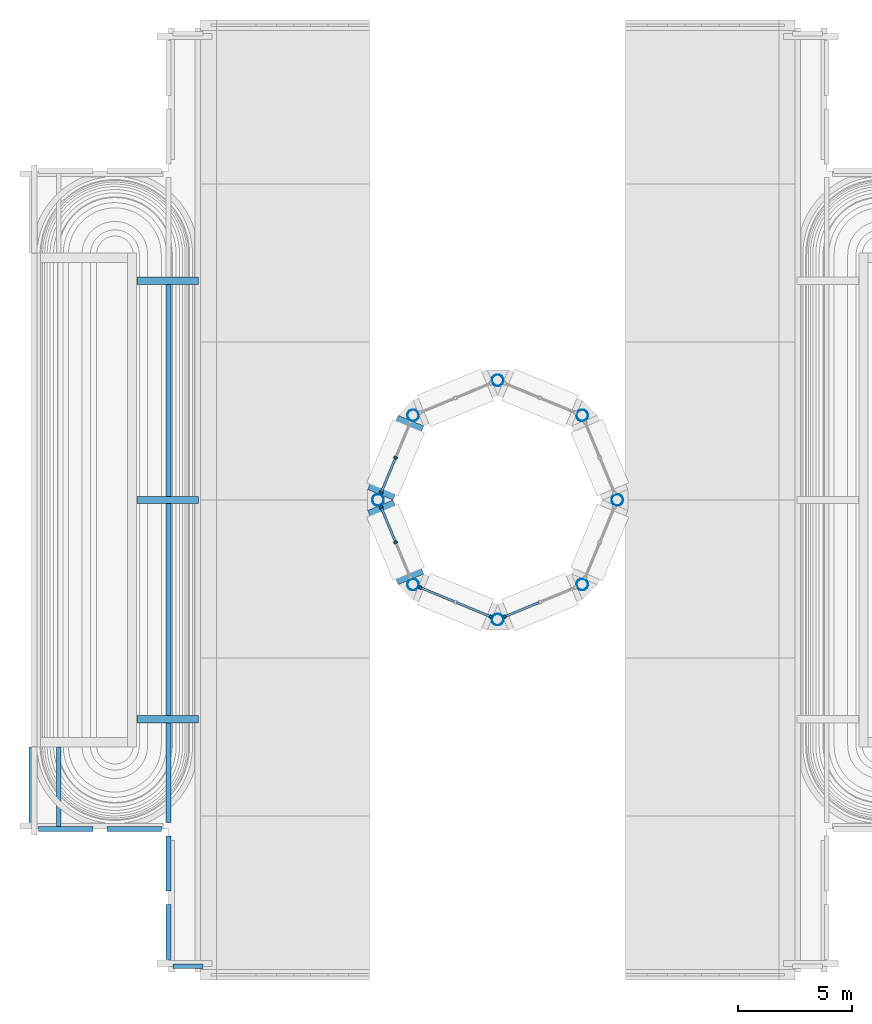
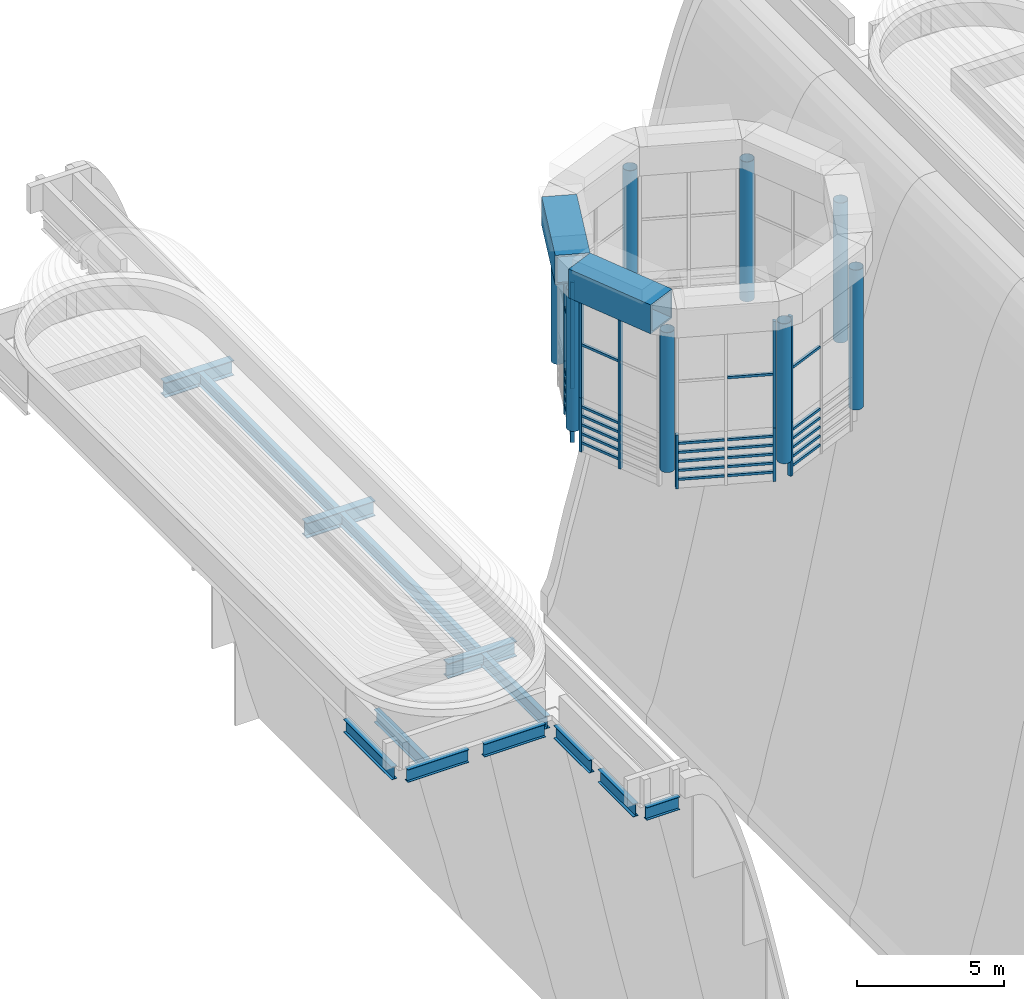
# One storey, part 1 of 14: 42 members, 15 beams, 8 columns, 8 elements without a shape of their own.
"""IFC4 building model written with IfcOpenShell, lengths in metres."""

from ifc_helpers import new_model, si_unit, direction, frame, origin, origin_2d, place, context, subcontext, project, spatial, rectangle, hollow_rectangle, hollow_circle, i_section, extrude, material, material_profile, profile_set, type_object, element, aggregate, save


model = new_model("IFC4")

# Units and contexts
model_context = context("Model", 3, precision=1e-05, world=origin(), true_north=direction((0.0, 1.0)))
body_context = subcontext(model_context, "Body", "Model", "MODEL_VIEW")
ifc_project = project(units=[si_unit("LENGTHUNIT", "METRE"), si_unit("AREAUNIT", "SQUARE_METRE"), si_unit("VOLUMEUNIT", "CUBIC_METRE"), si_unit("PLANEANGLEUNIT", "RADIAN"), si_unit("MASSUNIT", "GRAM", prefix="KILO")], contexts=[model_context])

# Site, building, storey
site_placement = place(None, origin())
site = spatial("IfcSite", under=ifc_project, at=site_placement, CompositionType="ELEMENT")
building_placement = place(site_placement, origin())
building = spatial("IfcBuilding", under=site, at=building_placement, Name="Cobrizo Arcos Hotel Tower", CompositionType="ELEMENT")
storey_placement = place(building_placement, frame((0.0, 0.0, 290.0)))
storey = spatial("IfcBuildingStorey", under=building, at=storey_placement, Name="RF", CompositionType="ELEMENT", Elevation=290.0)

# Columns
ifc_material_1 = material(Name="Steel ASTM A500 Grade C", Category="steel")
ifc_material_profile_1 = material_profile(ifc_material_1, hollow_circle(Radius=0.25390625, WallThickness=0.01171875, at=origin_2d()), Name="HSS20.000X0.500")
ifc_profile_set_1 = profile_set([ifc_material_profile_1], Name="Steel ASTM A500 Grade C")
column_type = type_object("IfcColumnType", Name="HSS20.000X0.500 drum column", PredefinedType="COLUMN", material=ifc_profile_set_1)
for number, where, z_axis, x_axis, name in (
    (1, (5.232666015625, 0.0, 0.0), (0.0, 0.0, 1.0), (1.0, 0.0, 0.0), "Drum column DC1, tier 3, line 0, no. 1"),
    (2, (3.699951171875, 3.699951171875, 0.0), (0.0, 0.0, 1.0), (1.0, 0.0, 0.0), "Drum column DC2, tier 3, line 1, no. 1"),
    (3, (0.0, 5.232666015625, 0.0), (0.0, 0.0, 1.0), (1.0, 0.0, 0.0), "Drum column DC3, tier 3, line 2, no. 1"),
    (4, (-3.699951171875, 3.699951171875, 0.0), (0.0, 0.0, 1.0), (1.0, 0.0, 0.0), "Drum column DC4, tier 3, line 3, no. 1"),
    (5, (-5.232666015625, 0.0, 0.0), (0.0, 0.0, 1.0), (1.0, 0.0, 0.0), "Drum column DC5, tier 3, line 4, no. 1"),
    (6, (-3.699951171875, -3.699951171875, 0.0), (0.0, 0.0, 1.0), (1.0, 0.0, 0.0), "Drum column DC6, tier 3, line 5, no. 1"),
    (7, (0.0, -5.232666015625, 0.0), (0.0, 0.0, 1.0), (1.0, 0.0, 0.0), "Drum column DC7, tier 3, line 6, no. 1"),
    (8, (3.699951171875, -3.699951171875, 0.0), (0.0, 0.0, 1.0), (1.0, 0.0, 0.0), "Drum column DC8, tier 3, line 7, no. 1"),
):
    element("IfcColumn", number, at=place(storey_placement, frame(where, z_axis=z_axis, x_axis=x_axis)), inside=storey, type_object=column_type, Name=name, PredefinedType="COLUMN", context=body_context, shape_type="SweptSolid", body=[
        extrude(hollow_circle(Radius=0.25390625, WallThickness=0.01171875, at=origin_2d()), origin(), (0.0, 0.0, 1.0), 5.800048828125),
    ])

# Beams
ifc_material_2 = material(Name="Steel ASTM A572 Grade 50", Category="steel")
ifc_material_profile_2 = material_profile(ifc_material_2, hollow_rectangle(XDim=1.199951171875, YDim=1.199951171875, WallThickness=0.070068359375, at=origin_2d()), Name="BOX 1200X1200X70")
ifc_profile_set_2 = profile_set([ifc_material_profile_2], Name="Steel ASTM A572 Grade 50")
beam_type_1 = type_object("IfcBeamType", Name="BOX 1200X1200X70 drum ring beam", PredefinedType="BEAM", material=ifc_profile_set_2)
for number, where, z_axis, x_axis, name in (
    (9, (-3.795166015625, 3.470458984375, 6.39990234375), (-0.382642737497, -0.923896387827, 0.0), (0.923896387827, -0.382642737497, 0.0), "Drum ring beam RB4, tier 3, no. 3"),
    (10, (-5.137451171875, -0.2294921875, 6.39990234375), (0.382642737497, -0.923896387827, 0.0), (0.923896387827, 0.382642737497, 0.0), "Drum ring beam RB5, tier 3, no. 4"),
):
    element("IfcBeam", number, at=place(storey_placement, frame(where, z_axis=z_axis, x_axis=x_axis)), inside=storey, type_object=beam_type_1, Name=name, PredefinedType="BEAM", context=body_context, shape_type="SweptSolid", body=[
        extrude(hollow_rectangle(XDim=1.199951171875, YDim=1.199951171875, WallThickness=0.070068359375, at=origin_2d()), origin(), (0.0, 0.0, 1.0), 3.5078125),
    ])

# Curtain wall, members
ifc_material_3 = material(Name="Aluminium 6063-T6 anodised bronze", Category="aluminium")
curtain_wall_type = type_object("IfcCurtainWallType", Name="CW-D plant louvre wall", PredefinedType="NOTDEFINED", material=ifc_material_3)
curtain_wall_1_placement = place(storey_placement, origin())
curtain_wall_1 = element("IfcCurtainWall", 11, at=curtain_wall_1_placement, inside=storey, type_object=curtain_wall_type, Name="CW-D drum louvre wall t3-4", PredefinedType="NOTDEFINED")
ifc_material_profile_3 = material_profile(ifc_material_3, rectangle(XDim=0.14990234375, YDim=0.10009765625, at=origin_2d()), Name="CW-D mullion 150x100")
ifc_profile_set_3 = profile_set([ifc_material_profile_3], Name="Aluminium 6063-T6 anodised bronze")
member_type_1 = type_object("IfcMemberType", Name="CW-D mullion 150x100", PredefinedType="MULLION", material=ifc_profile_set_3)
member_1_placement = place(storey_placement, frame((-4.46630859375, 1.85009765625, -0.833251953125), z_axis=(0.0, 0.0, 1.0), x_axis=(-0.923879532511, 0.382683432365, 0.0)))
member_1 = element("IfcMember", 12, at=member_1_placement, type_object=member_type_1, Name="CW-D mullion 2", PredefinedType="MULLION", context=body_context, shape_type="SweptSolid", body=[
    extrude(rectangle(XDim=0.14990234375, YDim=0.10009765625, at=origin_2d()), origin(), (0.0, 0.0, 1.0), 2.233154296875),
])
member_2_placement = place(storey_placement, frame((-5.104736328125, 0.30859375, -0.833251953125), z_axis=(0.0, 0.0, 1.0), x_axis=(-0.923879532511, 0.382683432365, 0.0)))
member_2 = element("IfcMember", 13, at=member_2_placement, type_object=member_type_1, Name="CW-D mullion 3", PredefinedType="MULLION", context=body_context, shape_type="SweptSolid", body=[
    extrude(rectangle(XDim=0.14990234375, YDim=0.10009765625, at=origin_2d()), origin(), (0.0, 0.0, 1.0), 2.233154296875),
])

curtain_wall_2_placement = place(storey_placement, origin())
curtain_wall_2 = element("IfcCurtainWall", 14, at=curtain_wall_2_placement, inside=storey, type_object=curtain_wall_type, Name="CW-D drum louvre wall t3L-4", PredefinedType="NOTDEFINED")
member_3_placement = place(storey_placement, frame((-4.46630859375, 1.85009765625, 1.39990234375), z_axis=(0.0, 0.0, 1.0), x_axis=(-0.923879532511, 0.382683432365, 0.0)))
member_3 = element("IfcMember", 15, at=member_3_placement, type_object=member_type_1, Name="CW-D mullion 2", PredefinedType="MULLION", context=body_context, shape_type="SweptSolid", body=[
    extrude(rectangle(XDim=0.14990234375, YDim=0.10009765625, at=origin_2d()), origin(), (0.0, 0.0, 1.0), 4.400146484375),
])
member_4_placement = place(storey_placement, frame((-5.104736328125, 0.30859375, 1.39990234375), z_axis=(0.0, 0.0, 1.0), x_axis=(-0.923879532511, 0.382683432365, 0.0)))
member_4 = element("IfcMember", 16, at=member_4_placement, type_object=member_type_1, Name="CW-D mullion 3", PredefinedType="MULLION", context=body_context, shape_type="SweptSolid", body=[
    extrude(rectangle(XDim=0.14990234375, YDim=0.10009765625, at=origin_2d()), origin(), (0.0, 0.0, 1.0), 4.400146484375),
])

curtain_wall_3_placement = place(storey_placement, origin())
curtain_wall_3 = element("IfcCurtainWall", 17, at=curtain_wall_3_placement, inside=storey, type_object=curtain_wall_type, Name="CW-D drum louvre wall t3-5", PredefinedType="NOTDEFINED")
member_5_placement = place(storey_placement, frame((-5.104736328125, -0.30859375, -0.833251953125), z_axis=(0.0, 0.0, 1.0), x_axis=(-0.923879532511, -0.382683432365, 0.0)))
member_5 = element("IfcMember", 18, at=member_5_placement, type_object=member_type_1, Name="CW-D mullion 1", PredefinedType="MULLION", context=body_context, shape_type="SweptSolid", body=[
    extrude(rectangle(XDim=0.14990234375, YDim=0.10009765625, at=origin_2d()), origin(), (0.0, 0.0, 1.0), 2.233154296875),
])
member_6_placement = place(storey_placement, frame((-4.46630859375, -1.85009765625, -0.833251953125), z_axis=(0.0, 0.0, 1.0), x_axis=(-0.923879532511, -0.382683432365, 0.0)))
member_6 = element("IfcMember", 19, at=member_6_placement, type_object=member_type_1, Name="CW-D mullion 2", PredefinedType="MULLION", context=body_context, shape_type="SweptSolid", body=[
    extrude(rectangle(XDim=0.14990234375, YDim=0.10009765625, at=origin_2d()), origin(), (0.0, 0.0, 1.0), 2.233154296875),
])

curtain_wall_4_placement = place(storey_placement, origin())
curtain_wall_4 = element("IfcCurtainWall", 20, at=curtain_wall_4_placement, inside=storey, type_object=curtain_wall_type, Name="CW-D drum louvre wall t3L-5", PredefinedType="NOTDEFINED")
member_7_placement = place(storey_placement, frame((-5.104736328125, -0.30859375, 1.39990234375), z_axis=(0.0, 0.0, 1.0), x_axis=(-0.923879532511, -0.382683432365, 0.0)))
member_7 = element("IfcMember", 21, at=member_7_placement, type_object=member_type_1, Name="CW-D mullion 1", PredefinedType="MULLION", context=body_context, shape_type="SweptSolid", body=[
    extrude(rectangle(XDim=0.14990234375, YDim=0.10009765625, at=origin_2d()), origin(), (0.0, 0.0, 1.0), 4.400146484375),
])
member_8_placement = place(storey_placement, frame((-4.46630859375, -1.85009765625, 1.39990234375), z_axis=(0.0, 0.0, 1.0), x_axis=(-0.923879532511, -0.382683432365, 0.0)))
member_8 = element("IfcMember", 22, at=member_8_placement, type_object=member_type_1, Name="CW-D mullion 2", PredefinedType="MULLION", context=body_context, shape_type="SweptSolid", body=[
    extrude(rectangle(XDim=0.14990234375, YDim=0.10009765625, at=origin_2d()), origin(), (0.0, 0.0, 1.0), 4.400146484375),
])

curtain_wall_5_placement = place(storey_placement, origin())
curtain_wall_5 = element("IfcCurtainWall", 23, at=curtain_wall_5_placement, inside=storey, type_object=curtain_wall_type, Name="CW-D drum louvre wall t3-6", PredefinedType="NOTDEFINED")
member_9_placement = place(storey_placement, frame((-3.391357421875, -3.827880859375, -0.833251953125), z_axis=(0.0, 0.0, 1.0), x_axis=(-0.382683432365, -0.923879532511, 0.0)))
member_9 = element("IfcMember", 24, at=member_9_placement, type_object=member_type_1, Name="CW-D mullion 1", PredefinedType="MULLION", context=body_context, shape_type="SweptSolid", body=[
    extrude(rectangle(XDim=0.14990234375, YDim=0.10009765625, at=origin_2d()), origin(), (0.0, 0.0, 1.0), 2.233154296875),
])
member_10_placement = place(storey_placement, frame((-0.30859375, -5.104736328125, -0.833251953125), z_axis=(0.0, 0.0, 1.0), x_axis=(-0.382683432365, -0.923879532511, 0.0)))
member_10 = element("IfcMember", 25, at=member_10_placement, type_object=member_type_1, Name="CW-D mullion 3", PredefinedType="MULLION", context=body_context, shape_type="SweptSolid", body=[
    extrude(rectangle(XDim=0.14990234375, YDim=0.10009765625, at=origin_2d()), origin(), (0.0, 0.0, 1.0), 2.233154296875),
])

# Curtain wall, member
curtain_wall_6_placement = place(storey_placement, origin())
curtain_wall_6 = element("IfcCurtainWall", 26, at=curtain_wall_6_placement, inside=storey, type_object=curtain_wall_type, Name="CW-D drum louvre wall t3L-6", PredefinedType="NOTDEFINED")
member_11_placement = place(storey_placement, frame((-0.30859375, -5.104736328125, 1.39990234375), z_axis=(0.0, 0.0, 1.0), x_axis=(-0.382683432365, -0.923879532511, 0.0)))
member_11 = element("IfcMember", 27, at=member_11_placement, type_object=member_type_1, Name="CW-D mullion 3", PredefinedType="MULLION", context=body_context, shape_type="SweptSolid", body=[
    extrude(rectangle(XDim=0.14990234375, YDim=0.10009765625, at=origin_2d()), origin(), (0.0, 0.0, 1.0), 4.400146484375),
])

curtain_wall_7_placement = place(storey_placement, origin())
curtain_wall_7 = element("IfcCurtainWall", 28, at=curtain_wall_7_placement, inside=storey, type_object=curtain_wall_type, Name="CW-D drum louvre wall t3-7", PredefinedType="NOTDEFINED")
member_12_placement = place(storey_placement, frame((0.30859375, -5.104736328125, -0.833251953125), z_axis=(0.0, 0.0, 1.0), x_axis=(0.382683432365, -0.923879532511, 0.0)))
member_12 = element("IfcMember", 29, at=member_12_placement, type_object=member_type_1, Name="CW-D mullion 1", PredefinedType="MULLION", context=body_context, shape_type="SweptSolid", body=[
    extrude(rectangle(XDim=0.14990234375, YDim=0.10009765625, at=origin_2d()), origin(), (0.0, 0.0, 1.0), 2.233154296875),
])

curtain_wall_8_placement = place(storey_placement, origin())
curtain_wall_8 = element("IfcCurtainWall", 30, at=curtain_wall_8_placement, inside=storey, type_object=curtain_wall_type, Name="CW-D drum louvre wall t3L-7", PredefinedType="NOTDEFINED")
member_13_placement = place(storey_placement, frame((0.30859375, -5.104736328125, 1.39990234375), z_axis=(0.0, 0.0, 1.0), x_axis=(0.382683432365, -0.923879532511, 0.0)))
member_13 = element("IfcMember", 31, at=member_13_placement, type_object=member_type_1, Name="CW-D mullion 1", PredefinedType="MULLION", context=body_context, shape_type="SweptSolid", body=[
    extrude(rectangle(XDim=0.14990234375, YDim=0.10009765625, at=origin_2d()), origin(), (0.0, 0.0, 1.0), 4.400146484375),
])

# Member
ifc_material_profile_4 = material_profile(ifc_material_3, rectangle(XDim=0.10009765625, YDim=0.10009765625, at=origin_2d()), Name="CW-D transom 100x100")
ifc_profile_set_4 = profile_set([ifc_material_profile_4], Name="Aluminium 6063-T6 anodised bronze")
member_type_2 = type_object("IfcMemberType", Name="CW-D transom 100x100", PredefinedType="USERDEFINED", material=ifc_profile_set_4)
member_14_placement = place(storey_placement, frame((-4.4853515625, 1.8037109375, -0.461181640625), z_axis=(-0.382768797092, -0.923844168663, 0.0), x_axis=(0.923844168663, -0.382768797092, 0.0)))
member_14 = element("IfcMember", 32, at=member_14_placement, type_object=member_type_2, Name="CW-D transom 2-1", ObjectType="TRANSOM", PredefinedType="USERDEFINED", context=body_context, shape_type="SweptSolid", body=[
    extrude(rectangle(XDim=0.10009765625, YDim=0.10009765625, at=origin_2d()), origin(), (0.0, 0.0, 1.0), 1.568359375),
])

member_15_placement = place(storey_placement, frame((-4.4853515625, 1.8037109375, -0.0888671875), z_axis=(-0.382768797092, -0.923844168663, 0.0), x_axis=(0.923844168663, -0.382768797092, 0.0)))
member_15 = element("IfcMember", 33, at=member_15_placement, type_object=member_type_2, Name="CW-D transom 2-2", ObjectType="TRANSOM", PredefinedType="USERDEFINED", context=body_context, shape_type="SweptSolid", body=[
    extrude(rectangle(XDim=0.10009765625, YDim=0.10009765625, at=origin_2d()), origin(), (0.0, 0.0, 1.0), 1.568359375),
])

member_16_placement = place(storey_placement, frame((-4.4853515625, 1.8037109375, 0.283203125), z_axis=(-0.382768797092, -0.923844168663, 0.0), x_axis=(0.923844168663, -0.382768797092, 0.0)))
member_16 = element("IfcMember", 34, at=member_16_placement, type_object=member_type_2, Name="CW-D transom 2-3", ObjectType="TRANSOM", PredefinedType="USERDEFINED", context=body_context, shape_type="SweptSolid", body=[
    extrude(rectangle(XDim=0.10009765625, YDim=0.10009765625, at=origin_2d()), origin(), (0.0, 0.0, 1.0), 1.568359375),
])

member_17_placement = place(storey_placement, frame((-4.4853515625, 1.8037109375, 0.655517578125), z_axis=(-0.382768797092, -0.923844168663, 0.0), x_axis=(0.923844168663, -0.382768797092, 0.0)))
member_17 = element("IfcMember", 35, at=member_17_placement, type_object=member_type_2, Name="CW-D transom 2-4", ObjectType="TRANSOM", PredefinedType="USERDEFINED", context=body_context, shape_type="SweptSolid", body=[
    extrude(rectangle(XDim=0.10009765625, YDim=0.10009765625, at=origin_2d()), origin(), (0.0, 0.0, 1.0), 1.568359375),
])

member_18_placement = place(storey_placement, frame((-4.4853515625, 1.8037109375, 1.02783203125), z_axis=(-0.382768797092, -0.923844168663, 0.0), x_axis=(0.923844168663, -0.382768797092, 0.0)))
member_18 = element("IfcMember", 36, at=member_18_placement, type_object=member_type_2, Name="CW-D transom 2-5", ObjectType="TRANSOM", PredefinedType="USERDEFINED", context=body_context, shape_type="SweptSolid", body=[
    extrude(rectangle(XDim=0.10009765625, YDim=0.10009765625, at=origin_2d()), origin(), (0.0, 0.0, 1.0), 1.568359375),
])

aggregate(curtain_wall_1, [member_1, member_2, member_14, member_15, member_16, member_17, member_18])

member_19_placement = place(storey_placement, frame((-4.4853515625, 1.8037109375, 3.60009765625), z_axis=(-0.382768797092, -0.923844168663, 0.0), x_axis=(0.923844168663, -0.382768797092, 0.0)))
member_19 = element("IfcMember", 37, at=member_19_placement, type_object=member_type_2, Name="CW-D transom 2-1", ObjectType="TRANSOM", PredefinedType="USERDEFINED", context=body_context, shape_type="SweptSolid", body=[
    extrude(rectangle(XDim=0.10009765625, YDim=0.10009765625, at=origin_2d()), origin(), (0.0, 0.0, 1.0), 1.568359375),
])

aggregate(curtain_wall_2, [member_3, member_4, member_19])

member_20_placement = place(storey_placement, frame((-5.085693359375, -0.354736328125, -0.461181640625), z_axis=(0.382768797092, -0.923844168663, 0.0), x_axis=(0.923844168663, 0.382768797092, 0.0)))
member_20 = element("IfcMember", 38, at=member_20_placement, type_object=member_type_2, Name="CW-D transom 1-1", ObjectType="TRANSOM", PredefinedType="USERDEFINED", context=body_context, shape_type="SweptSolid", body=[
    extrude(rectangle(XDim=0.10009765625, YDim=0.10009765625, at=origin_2d()), origin(), (0.0, 0.0, 1.0), 1.568359375),
])

member_21_placement = place(storey_placement, frame((-5.085693359375, -0.354736328125, -0.0888671875), z_axis=(0.382768797092, -0.923844168663, 0.0), x_axis=(0.923844168663, 0.382768797092, 0.0)))
member_21 = element("IfcMember", 39, at=member_21_placement, type_object=member_type_2, Name="CW-D transom 1-2", ObjectType="TRANSOM", PredefinedType="USERDEFINED", context=body_context, shape_type="SweptSolid", body=[
    extrude(rectangle(XDim=0.10009765625, YDim=0.10009765625, at=origin_2d()), origin(), (0.0, 0.0, 1.0), 1.568359375),
])

member_22_placement = place(storey_placement, frame((-5.085693359375, -0.354736328125, 0.283203125), z_axis=(0.382768797092, -0.923844168663, 0.0), x_axis=(0.923844168663, 0.382768797092, 0.0)))
member_22 = element("IfcMember", 40, at=member_22_placement, type_object=member_type_2, Name="CW-D transom 1-3", ObjectType="TRANSOM", PredefinedType="USERDEFINED", context=body_context, shape_type="SweptSolid", body=[
    extrude(rectangle(XDim=0.10009765625, YDim=0.10009765625, at=origin_2d()), origin(), (0.0, 0.0, 1.0), 1.568359375),
])

member_23_placement = place(storey_placement, frame((-5.085693359375, -0.354736328125, 0.655517578125), z_axis=(0.382768797092, -0.923844168663, 0.0), x_axis=(0.923844168663, 0.382768797092, 0.0)))
member_23 = element("IfcMember", 41, at=member_23_placement, type_object=member_type_2, Name="CW-D transom 1-4", ObjectType="TRANSOM", PredefinedType="USERDEFINED", context=body_context, shape_type="SweptSolid", body=[
    extrude(rectangle(XDim=0.10009765625, YDim=0.10009765625, at=origin_2d()), origin(), (0.0, 0.0, 1.0), 1.568359375),
])

member_24_placement = place(storey_placement, frame((-5.085693359375, -0.354736328125, 1.02783203125), z_axis=(0.382768797092, -0.923844168663, 0.0), x_axis=(0.923844168663, 0.382768797092, 0.0)))
member_24 = element("IfcMember", 42, at=member_24_placement, type_object=member_type_2, Name="CW-D transom 1-5", ObjectType="TRANSOM", PredefinedType="USERDEFINED", context=body_context, shape_type="SweptSolid", body=[
    extrude(rectangle(XDim=0.10009765625, YDim=0.10009765625, at=origin_2d()), origin(), (0.0, 0.0, 1.0), 1.568359375),
])

aggregate(curtain_wall_3, [member_5, member_6, member_20, member_21, member_22, member_23, member_24])

member_25_placement = place(storey_placement, frame((-5.085693359375, -0.354736328125, 3.60009765625), z_axis=(0.382768797092, -0.923844168663, 0.0), x_axis=(0.923844168663, 0.382768797092, 0.0)))
member_25 = element("IfcMember", 43, at=member_25_placement, type_object=member_type_2, Name="CW-D transom 1-1", ObjectType="TRANSOM", PredefinedType="USERDEFINED", context=body_context, shape_type="SweptSolid", body=[
    extrude(rectangle(XDim=0.10009765625, YDim=0.10009765625, at=origin_2d()), origin(), (0.0, 0.0, 1.0), 1.568359375),
])

aggregate(curtain_wall_4, [member_7, member_8, member_25])

member_26_placement = place(storey_placement, frame((-3.34521484375, -3.846923828125, -0.461181640625), z_axis=(0.923844168663, -0.382768797092, 0.0), x_axis=(0.382768797092, 0.923844168663, 0.0)))
member_26 = element("IfcMember", 44, at=member_26_placement, type_object=member_type_2, Name="CW-D transom 1-1", ObjectType="TRANSOM", PredefinedType="USERDEFINED", context=body_context, shape_type="SweptSolid", body=[
    extrude(rectangle(XDim=0.10009765625, YDim=0.10009765625, at=origin_2d()), origin(), (0.0, 0.0, 1.0), 1.568359375),
])

member_27_placement = place(storey_placement, frame((-3.34521484375, -3.846923828125, -0.0888671875), z_axis=(0.923844168663, -0.382768797092, 0.0), x_axis=(0.382768797092, 0.923844168663, 0.0)))
member_27 = element("IfcMember", 45, at=member_27_placement, type_object=member_type_2, Name="CW-D transom 1-2", ObjectType="TRANSOM", PredefinedType="USERDEFINED", context=body_context, shape_type="SweptSolid", body=[
    extrude(rectangle(XDim=0.10009765625, YDim=0.10009765625, at=origin_2d()), origin(), (0.0, 0.0, 1.0), 1.568359375),
])

member_28_placement = place(storey_placement, frame((-3.34521484375, -3.846923828125, 0.283203125), z_axis=(0.923844168663, -0.382768797092, 0.0), x_axis=(0.382768797092, 0.923844168663, 0.0)))
member_28 = element("IfcMember", 46, at=member_28_placement, type_object=member_type_2, Name="CW-D transom 1-3", ObjectType="TRANSOM", PredefinedType="USERDEFINED", context=body_context, shape_type="SweptSolid", body=[
    extrude(rectangle(XDim=0.10009765625, YDim=0.10009765625, at=origin_2d()), origin(), (0.0, 0.0, 1.0), 1.568359375),
])

member_29_placement = place(storey_placement, frame((-3.34521484375, -3.846923828125, 0.655517578125), z_axis=(0.923844168663, -0.382768797092, 0.0), x_axis=(0.382768797092, 0.923844168663, 0.0)))
member_29 = element("IfcMember", 47, at=member_29_placement, type_object=member_type_2, Name="CW-D transom 1-4", ObjectType="TRANSOM", PredefinedType="USERDEFINED", context=body_context, shape_type="SweptSolid", body=[
    extrude(rectangle(XDim=0.10009765625, YDim=0.10009765625, at=origin_2d()), origin(), (0.0, 0.0, 1.0), 1.568359375),
])

member_30_placement = place(storey_placement, frame((-3.34521484375, -3.846923828125, 1.02783203125), z_axis=(0.923844168663, -0.382768797092, 0.0), x_axis=(0.382768797092, 0.923844168663, 0.0)))
member_30 = element("IfcMember", 48, at=member_30_placement, type_object=member_type_2, Name="CW-D transom 1-5", ObjectType="TRANSOM", PredefinedType="USERDEFINED", context=body_context, shape_type="SweptSolid", body=[
    extrude(rectangle(XDim=0.10009765625, YDim=0.10009765625, at=origin_2d()), origin(), (0.0, 0.0, 1.0), 1.568359375),
])

member_31_placement = place(storey_placement, frame((-1.8037109375, -4.4853515625, -0.461181640625), z_axis=(0.923844168663, -0.382768797092, 0.0), x_axis=(0.382768797092, 0.923844168663, 0.0)))
member_31 = element("IfcMember", 49, at=member_31_placement, type_object=member_type_2, Name="CW-D transom 2-1", ObjectType="TRANSOM", PredefinedType="USERDEFINED", context=body_context, shape_type="SweptSolid", body=[
    extrude(rectangle(XDim=0.10009765625, YDim=0.10009765625, at=origin_2d()), origin(), (0.0, 0.0, 1.0), 1.568359375),
])

member_32_placement = place(storey_placement, frame((-1.8037109375, -4.4853515625, -0.0888671875), z_axis=(0.923844168663, -0.382768797092, 0.0), x_axis=(0.382768797092, 0.923844168663, 0.0)))
member_32 = element("IfcMember", 50, at=member_32_placement, type_object=member_type_2, Name="CW-D transom 2-2", ObjectType="TRANSOM", PredefinedType="USERDEFINED", context=body_context, shape_type="SweptSolid", body=[
    extrude(rectangle(XDim=0.10009765625, YDim=0.10009765625, at=origin_2d()), origin(), (0.0, 0.0, 1.0), 1.568359375),
])

member_33_placement = place(storey_placement, frame((-1.8037109375, -4.4853515625, 0.283203125), z_axis=(0.923844168663, -0.382768797092, 0.0), x_axis=(0.382768797092, 0.923844168663, 0.0)))
member_33 = element("IfcMember", 51, at=member_33_placement, type_object=member_type_2, Name="CW-D transom 2-3", ObjectType="TRANSOM", PredefinedType="USERDEFINED", context=body_context, shape_type="SweptSolid", body=[
    extrude(rectangle(XDim=0.10009765625, YDim=0.10009765625, at=origin_2d()), origin(), (0.0, 0.0, 1.0), 1.568359375),
])

member_34_placement = place(storey_placement, frame((-1.8037109375, -4.4853515625, 0.655517578125), z_axis=(0.923844168663, -0.382768797092, 0.0), x_axis=(0.382768797092, 0.923844168663, 0.0)))
member_34 = element("IfcMember", 52, at=member_34_placement, type_object=member_type_2, Name="CW-D transom 2-4", ObjectType="TRANSOM", PredefinedType="USERDEFINED", context=body_context, shape_type="SweptSolid", body=[
    extrude(rectangle(XDim=0.10009765625, YDim=0.10009765625, at=origin_2d()), origin(), (0.0, 0.0, 1.0), 1.568359375),
])

member_35_placement = place(storey_placement, frame((-1.8037109375, -4.4853515625, 1.02783203125), z_axis=(0.923844168663, -0.382768797092, 0.0), x_axis=(0.382768797092, 0.923844168663, 0.0)))
member_35 = element("IfcMember", 53, at=member_35_placement, type_object=member_type_2, Name="CW-D transom 2-5", ObjectType="TRANSOM", PredefinedType="USERDEFINED", context=body_context, shape_type="SweptSolid", body=[
    extrude(rectangle(XDim=0.10009765625, YDim=0.10009765625, at=origin_2d()), origin(), (0.0, 0.0, 1.0), 1.568359375),
])

aggregate(curtain_wall_5, [member_9, member_10, member_26, member_27, member_28, member_29, member_30, member_31, member_32, member_33, member_34, member_35])

member_36_placement = place(storey_placement, frame((-1.8037109375, -4.4853515625, 3.60009765625), z_axis=(0.923844168663, -0.382768797092, 0.0), x_axis=(0.382768797092, 0.923844168663, 0.0)))
member_36 = element("IfcMember", 54, at=member_36_placement, type_object=member_type_2, Name="CW-D transom 2-1", ObjectType="TRANSOM", PredefinedType="USERDEFINED", context=body_context, shape_type="SweptSolid", body=[
    extrude(rectangle(XDim=0.10009765625, YDim=0.10009765625, at=origin_2d()), origin(), (0.0, 0.0, 1.0), 1.568359375),
])

aggregate(curtain_wall_6, [member_11, member_36])

member_37_placement = place(storey_placement, frame((0.354736328125, -5.085693359375, -0.461181640625), z_axis=(0.923844168663, 0.382768797092, 0.0), x_axis=(-0.382768797092, 0.923844168663, 0.0)))
member_37 = element("IfcMember", 55, at=member_37_placement, type_object=member_type_2, Name="CW-D transom 1-1", ObjectType="TRANSOM", PredefinedType="USERDEFINED", context=body_context, shape_type="SweptSolid", body=[
    extrude(rectangle(XDim=0.10009765625, YDim=0.10009765625, at=origin_2d()), origin(), (0.0, 0.0, 1.0), 1.568359375),
])

member_38_placement = place(storey_placement, frame((0.354736328125, -5.085693359375, -0.0888671875), z_axis=(0.923844168663, 0.382768797092, 0.0), x_axis=(-0.382768797092, 0.923844168663, 0.0)))
member_38 = element("IfcMember", 56, at=member_38_placement, type_object=member_type_2, Name="CW-D transom 1-2", ObjectType="TRANSOM", PredefinedType="USERDEFINED", context=body_context, shape_type="SweptSolid", body=[
    extrude(rectangle(XDim=0.10009765625, YDim=0.10009765625, at=origin_2d()), origin(), (0.0, 0.0, 1.0), 1.568359375),
])

member_39_placement = place(storey_placement, frame((0.354736328125, -5.085693359375, 0.283203125), z_axis=(0.923844168663, 0.382768797092, 0.0), x_axis=(-0.382768797092, 0.923844168663, 0.0)))
member_39 = element("IfcMember", 57, at=member_39_placement, type_object=member_type_2, Name="CW-D transom 1-3", ObjectType="TRANSOM", PredefinedType="USERDEFINED", context=body_context, shape_type="SweptSolid", body=[
    extrude(rectangle(XDim=0.10009765625, YDim=0.10009765625, at=origin_2d()), origin(), (0.0, 0.0, 1.0), 1.568359375),
])

member_40_placement = place(storey_placement, frame((0.354736328125, -5.085693359375, 0.655517578125), z_axis=(0.923844168663, 0.382768797092, 0.0), x_axis=(-0.382768797092, 0.923844168663, 0.0)))
member_40 = element("IfcMember", 58, at=member_40_placement, type_object=member_type_2, Name="CW-D transom 1-4", ObjectType="TRANSOM", PredefinedType="USERDEFINED", context=body_context, shape_type="SweptSolid", body=[
    extrude(rectangle(XDim=0.10009765625, YDim=0.10009765625, at=origin_2d()), origin(), (0.0, 0.0, 1.0), 1.568359375),
])

member_41_placement = place(storey_placement, frame((0.354736328125, -5.085693359375, 1.02783203125), z_axis=(0.923844168663, 0.382768797092, 0.0), x_axis=(-0.382768797092, 0.923844168663, 0.0)))
member_41 = element("IfcMember", 59, at=member_41_placement, type_object=member_type_2, Name="CW-D transom 1-5", ObjectType="TRANSOM", PredefinedType="USERDEFINED", context=body_context, shape_type="SweptSolid", body=[
    extrude(rectangle(XDim=0.10009765625, YDim=0.10009765625, at=origin_2d()), origin(), (0.0, 0.0, 1.0), 1.568359375),
])

aggregate(curtain_wall_7, [member_12, member_37, member_38, member_39, member_40, member_41])

member_42_placement = place(storey_placement, frame((0.354736328125, -5.085693359375, 3.60009765625), z_axis=(0.923844168663, 0.382768797092, 0.0), x_axis=(-0.382768797092, 0.923844168663, 0.0)))
member_42 = element("IfcMember", 60, at=member_42_placement, type_object=member_type_2, Name="CW-D transom 1-1", ObjectType="TRANSOM", PredefinedType="USERDEFINED", context=body_context, shape_type="SweptSolid", body=[
    extrude(rectangle(XDim=0.10009765625, YDim=0.10009765625, at=origin_2d()), origin(), (0.0, 0.0, 1.0), 1.568359375),
])

aggregate(curtain_wall_8, [member_13, member_42])

# Beams
ifc_material_4 = material(Name="Steel ASTM A992 Grade 50", Category="steel")
ifc_material_profile_5 = material_profile(ifc_material_4, i_section(OverallWidth=0.209228515625, OverallDepth=0.533447265625, WebThickness=0.01025390625, FlangeThickness=0.015625, at=origin_2d()), Name="W21X62")
ifc_profile_set_5 = profile_set([ifc_material_profile_5], Name="Steel ASTM A992 Grade 50")
beam_type_2 = type_object("IfcBeamType", Name="W21X62 joist", PredefinedType="JOIST", material=ifc_profile_set_5)
beam_1_placement = place(storey_placement, frame((-19.199951171875, -14.31005859375, -0.466796875), z_axis=(0.0, 1.0, 0.0), x_axis=(-1.0, 0.0, 0.0)))
element("IfcBeam", 61, at=beam_1_placement, inside=storey, type_object=beam_type_2, Name="Floor joist J1, RF, no. 001", PredefinedType="JOIST", context=body_context, shape_type="SweptSolid", body=[
    extrude(i_section(OverallWidth=0.209228515625, OverallDepth=0.533447265625, WebThickness=0.01025390625, FlangeThickness=0.015625, at=origin_2d()), origin(), (0.0, 0.0, 1.0), 3.5),
])
beam_2_placement = place(storey_placement, frame((-14.39990234375, -14.10009765625, -0.466796875), z_axis=(0.0, 1.0, 0.0), x_axis=(-1.0, 0.0, 0.0)))
element("IfcBeam", 62, at=beam_2_placement, inside=storey, type_object=beam_type_2, Name="Floor joist J1, RF, no. 003", PredefinedType="JOIST", context=body_context, shape_type="SweptSolid", body=[
    extrude(i_section(OverallWidth=0.209228515625, OverallDepth=0.533447265625, WebThickness=0.01025390625, FlangeThickness=0.015625, at=origin_2d()), origin(), (0.0, 0.0, 1.0), 4.336181640625),
])
for number, where, z_axis, x_axis, name in (
    (63, (-14.39990234375, -9.43603515625, -0.466796875), (0.0, 1.0, 0.0), (-1.0, 0.0, 0.0), "Floor joist J1, RF, no. 004"),
    (64, (-14.39990234375, 0.163818359375, -0.466796875), (0.0, 1.0, 0.0), (-1.0, 0.0, 0.0), "Floor joist J1, RF, no. 005"),
):
    element("IfcBeam", number, at=place(storey_placement, frame(where, z_axis=z_axis, x_axis=x_axis)), inside=storey, type_object=beam_type_2, Name=name, PredefinedType="JOIST", context=body_context, shape_type="SweptSolid", body=[
        extrude(i_section(OverallWidth=0.209228515625, OverallDepth=0.533447265625, WebThickness=0.01025390625, FlangeThickness=0.015625, at=origin_2d()), origin(), (0.0, 0.0, 1.0), 9.272216796875),
    ])
ifc_material_profile_6 = material_profile(ifc_material_4, i_section(OverallWidth=0.209228515625, OverallDepth=0.533447265625, WebThickness=0.01025390625, FlangeThickness=0.015625, at=origin_2d()), Name="W21X62")
ifc_profile_set_6 = profile_set([ifc_material_profile_6], Name="Steel ASTM A992 Grade 50")
beam_type_3 = type_object("IfcBeamType", Name="W21X62 spandrel", PredefinedType="SPANDREL", material=ifc_profile_set_6)
for number, where, z_axis, x_axis, name in (
    (65, (-14.699951171875, -14.39990234375, -0.466796875), (-1.0, 0.0, 0.0), (0.0, -1.0, 0.0), "Spandrel beam W21X62, RF, no. 001"),
    (66, (-17.699951171875, -14.39990234375, -0.466796875), (-1.0, 0.0, 0.0), (0.0, -1.0, 0.0), "Spandrel beam W21X62, RF, no. 002"),
):
    element("IfcBeam", number, at=place(storey_placement, frame(where, z_axis=z_axis, x_axis=x_axis)), inside=storey, type_object=beam_type_3, Name=name, PredefinedType="SPANDREL", context=body_context, shape_type="SweptSolid", body=[
        extrude(i_section(OverallWidth=0.209228515625, OverallDepth=0.533447265625, WebThickness=0.01025390625, FlangeThickness=0.015625, at=origin_2d()), origin(), (0.0, 0.0, 1.0), 2.400146484375),
    ])
beam_3_placement = place(storey_placement, frame((-20.39990234375, -14.10009765625, -0.466796875), z_axis=(0.0, 1.0, 0.0), x_axis=(-1.0, 0.0, 0.0)))
element("IfcBeam", 67, at=beam_3_placement, inside=storey, type_object=beam_type_3, Name="Spandrel beam W21X62, RF, no. 003", PredefinedType="SPANDREL", context=body_context, shape_type="SweptSolid", body=[
    extrude(i_section(OverallWidth=0.209228515625, OverallDepth=0.533447265625, WebThickness=0.01025390625, FlangeThickness=0.015625, at=origin_2d()), origin(), (0.0, 0.0, 1.0), 3.2900390625),
])
beam_4_placement = place(storey_placement, frame((-12.89990234375, -20.39990234375, -0.466796875), z_axis=(-1.0, 0.0, 0.0), x_axis=(0.0, -1.0, 0.0)))
element("IfcBeam", 68, at=beam_4_placement, inside=storey, type_object=beam_type_3, Name="Spandrel beam W21X62, RF, no. 010", PredefinedType="SPANDREL", context=body_context, shape_type="SweptSolid", body=[
    extrude(i_section(OverallWidth=0.209228515625, OverallDepth=0.533447265625, WebThickness=0.01025390625, FlangeThickness=0.015625, at=origin_2d()), origin(), (0.0, 0.0, 1.0), 1.300048828125),
])
for number, where, z_axis, x_axis, name in (
    (69, (-14.39990234375, -20.10009765625, -0.466796875), (0.0, 1.0, 0.0), (-1.0, 0.0, 0.0), "Spandrel beam W21X62, RF, no. 011"),
    (70, (-14.39990234375, -17.10009765625, -0.466796875), (0.0, 1.0, 0.0), (-1.0, 0.0, 0.0), "Spandrel beam W21X62, RF, no. 012"),
):
    element("IfcBeam", number, at=place(storey_placement, frame(where, z_axis=z_axis, x_axis=x_axis)), inside=storey, type_object=beam_type_3, Name=name, PredefinedType="SPANDREL", context=body_context, shape_type="SweptSolid", body=[
        extrude(i_section(OverallWidth=0.209228515625, OverallDepth=0.533447265625, WebThickness=0.01025390625, FlangeThickness=0.015625, at=origin_2d()), origin(), (0.0, 0.0, 1.0), 2.400146484375),
    ])
ifc_material_profile_7 = material_profile(ifc_material_4, i_section(OverallWidth=0.32763671875, OverallDepth=0.622314453125, WebThickness=0.015380859375, FlangeThickness=0.0244140625, at=origin_2d()), Name="W24X131")
ifc_profile_set_7 = profile_set([ifc_material_profile_7], Name="Steel ASTM A992 Grade 50")
beam_type_4 = type_object("IfcBeamType", Name="W24X131 girder", PredefinedType="BEAM", material=ifc_profile_set_7)
for number, where, z_axis, x_axis, name in (
    (71, (-15.7900390625, -9.60009765625, -0.510986328125), (1.0, 0.0, 0.0), (0.0, 1.0, 0.0), "Floor girder G1, RF, no. 001"),
    (72, (-15.7900390625, 0.0, -0.510986328125), (1.0, 0.0, 0.0), (0.0, 1.0, 0.0), "Floor girder G1, RF, no. 003"),
    (73, (-15.7900390625, 9.60009765625, -0.510986328125), (1.0, 0.0, 0.0), (0.0, 1.0, 0.0), "Floor girder G1, RF, no. 005"),
):
    element("IfcBeam", number, at=place(storey_placement, frame(where, z_axis=z_axis, x_axis=x_axis)), inside=storey, type_object=beam_type_4, Name=name, PredefinedType="BEAM", context=body_context, shape_type="SweptSolid", body=[
        extrude(i_section(OverallWidth=0.32763671875, OverallDepth=0.622314453125, WebThickness=0.015380859375, FlangeThickness=0.0244140625, at=origin_2d()), origin(), (0.0, 0.0, 1.0), 2.699951171875),
    ])

save(model, "model.ifc")
